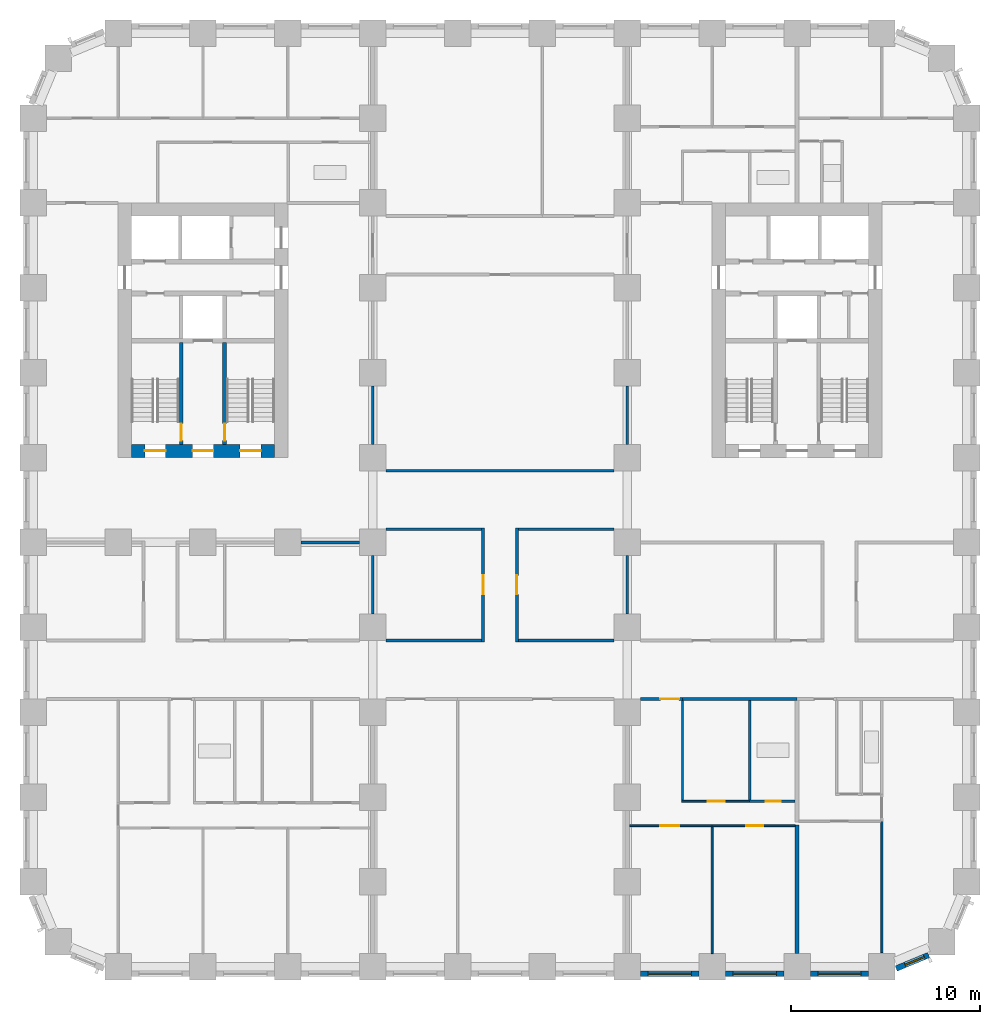
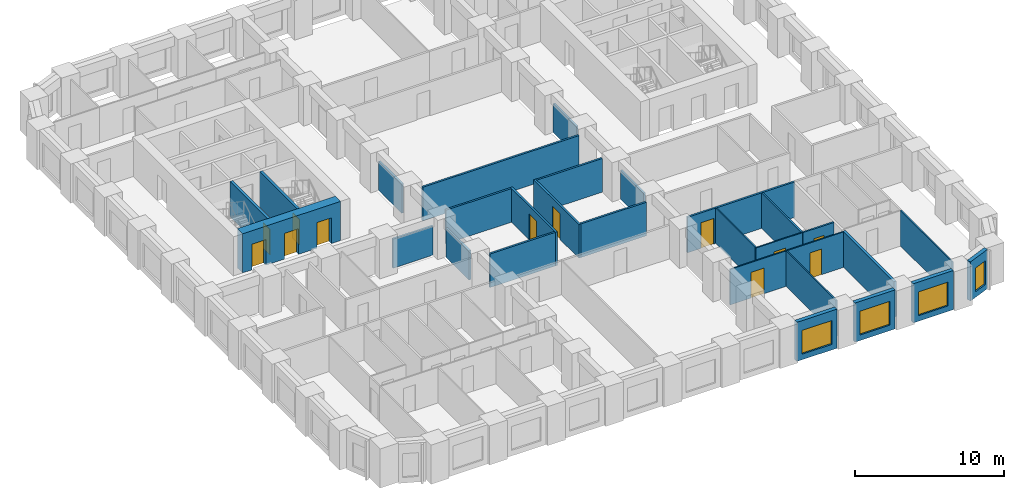
# One storey, part 4 of 12: 30 walls, 12 doors, 4 windows, 16 openings.
"""IFC4 building model written with IfcOpenShell, lengths in metres."""

from ifc_helpers import new_model, si_unit, direction, frame, frame_2d, origin, place, context, subcontext, project, spatial, rectangle, extrude, material, layer, layer_set, type_object, element, fill, save


model = new_model("IFC4")

# Units and contexts
model_context = context("Model", 3, precision=1e-05, world=origin(), true_north=direction((0.0, 1.0)))
body_context = subcontext(model_context, "Body", "Model", "MODEL_VIEW")
ifc_project = project(units=[si_unit("LENGTHUNIT", "METRE"), si_unit("AREAUNIT", "SQUARE_METRE"), si_unit("VOLUMEUNIT", "CUBIC_METRE"), si_unit("PLANEANGLEUNIT", "RADIAN"), si_unit("MASSUNIT", "GRAM", prefix="KILO")], contexts=[model_context])

# Site, building, storey
site_placement = place(None, origin())
site = spatial("IfcSite", under=ifc_project, at=site_placement, CompositionType="ELEMENT")
building_placement = place(site_placement, origin())
building = spatial("IfcBuilding", under=site, at=building_placement, Name="Girih Gate Residences", CompositionType="ELEMENT")
storey_placement = place(building_placement, frame((0.0, 0.0, 65.60009765625)))
storey = spatial("IfcBuildingStorey", under=building, at=storey_placement, Name="L17", CompositionType="ELEMENT", Elevation=65.60009765625)

# Wall, opening, door
ifc_material_1 = material(Name="Gypsum board on steel studs", Category="steel")
ifc_layer_1 = layer(ifc_material_1, 0.14990234375)
ifc_layer_set_1 = layer_set([ifc_layer_1], Name="Compartment wall 150 mm")
wall_type_1 = type_object("IfcWallType", Name="Compartment wall 150 mm", PredefinedType="PARTITIONING", material=ifc_layer_set_1)
wall_1_placement = place(storey_placement, frame((34.425048828125, 14.199951171875, 0.0), z_axis=(0.0, 0.0, 1.0), x_axis=(-1.0, 0.0, 0.0)))
wall_1 = element("IfcWall", 1, at=wall_1_placement, inside=storey, type_object=wall_type_1, Name="L17 partition", PredefinedType="PARTITIONING", context=body_context, shape_type="SweptSolid", body=[
    extrude(rectangle(XDim=2.22509765625, YDim=0.14990234375, at=frame_2d((1.112548828125, 0.0))), origin(), (0.0, 0.0, 1.0), 2.89990234375),
])
opening_1_placement = place(wall_1_placement, frame((0.175048828125, 0.0, 0.0)))
opening_1 = element("IfcOpeningElement", 2, at=opening_1_placement, cuts=wall_1, Name="Opening A17-027", PredefinedType="OPENING", context=body_context, shape_type="SweptSolid", body=[
    extrude(rectangle(XDim=1.0, YDim=2.10009765625, at=frame_2d((0.5, 1.050048828125))), frame((0.0, 0.0849609375, 0.0), z_axis=(0.0, -1.0, 0.0), x_axis=(1.0, 0.0, 0.0)), (0.0, 0.0, 1.0), 0.169921875),
])
ifc_material_2 = material(Name="Timber, fire-rated core", Category="wood")
door_type_1 = type_object("IfcDoorType", Name="Flat entrance door 1000x2100 FD30S", OperationType="NOTDEFINED", PredefinedType="DOOR", material=ifc_material_2)
door_1_placement = place(opening_1_placement, origin())
door_1 = element("IfcDoor", 3, at=door_1_placement, inside=storey, type_object=door_type_1, Name="Door A17-027", OperationType="SINGLE_SWING_LEFT", OverallHeight=2.10009765625, OverallWidth=1.0, PredefinedType="DOOR", context=body_context, shape_type="SweptSolid", body=[
    extrude(rectangle(XDim=1.0, YDim=2.10009765625, at=frame_2d((0.5, 1.050048828125))), frame((0.0, 0.02490234375, 0.0), z_axis=(0.0, -1.0, 0.0), x_axis=(1.0, 0.0, 0.0)), (0.0, 0.0, 1.0), 0.050048828125),
])
fill(opening_1, door_1)

# Wall
wall_2_placement = place(storey_placement, frame((34.425048828125, 14.199951171875, 0.0), z_axis=(0.0, 0.0, 1.0), x_axis=(1.0, 0.0, 0.0)))
element("IfcWall", 4, at=wall_2_placement, inside=storey, type_object=wall_type_1, Name="L17 partition", PredefinedType="PARTITIONING", context=body_context, shape_type="SweptSolid", body=[
    extrude(rectangle(XDim=6.074951171875, YDim=0.14990234375, at=frame_2d((3.03759765625, 0.0))), origin(), (0.0, 0.0, 1.0), 2.89990234375),
])

# Wall, opening, door
wall_3_placement = place(storey_placement, frame((23.85009765625, 17.22509765625, 0.0), z_axis=(0.0, 0.0, 1.0), x_axis=(0.0, 1.0, 0.0)))
wall_3 = element("IfcWall", 5, at=wall_3_placement, inside=storey, type_object=wall_type_1, Name="L17 partition", PredefinedType="PARTITIONING", context=body_context, shape_type="SweptSolid", body=[
    extrude(rectangle(XDim=6.0498046875, YDim=0.14990234375, at=frame_2d((3.02490234375, 0.0))), origin(), (0.0, 0.0, 1.0), 2.75),
])
opening_2_placement = place(wall_3_placement, frame((2.52490234375, 0.0, 0.0)))
opening_2 = element("IfcOpeningElement", 6, at=opening_2_placement, cuts=wall_3, Name="Opening A17-045", PredefinedType="OPENING", context=body_context, shape_type="SweptSolid", body=[
    extrude(rectangle(XDim=1.0, YDim=2.10009765625, at=frame_2d((0.5, 1.050048828125))), frame((0.0, 0.0849609375, 0.0), z_axis=(0.0, -1.0, 0.0), x_axis=(1.0, 0.0, 0.0)), (0.0, 0.0, 1.0), 0.169921875),
])
door_type_2 = type_object("IfcDoorType", Name="Amenity room door 1000x2100 FD30S", OperationType="NOTDEFINED", PredefinedType="DOOR", material=ifc_material_2)
door_2_placement = place(opening_2_placement, origin())
door_2 = element("IfcDoor", 7, at=door_2_placement, inside=storey, type_object=door_type_2, Name="Door A17-045", OperationType="SINGLE_SWING_RIGHT", OverallHeight=2.10009765625, OverallWidth=1.0, PredefinedType="DOOR", context=body_context, shape_type="SweptSolid", body=[
    extrude(rectangle(XDim=1.0, YDim=2.10009765625, at=frame_2d((0.5, 1.050048828125))), frame((0.0, 0.02490234375, 0.0), z_axis=(0.0, -1.0, 0.0), x_axis=(1.0, 0.0, 0.0)), (0.0, 0.0, 1.0), 0.050048828125),
])
fill(opening_2, door_2)

wall_4_placement = place(storey_placement, frame((25.64990234375, 23.27490234375, 0.0), z_axis=(0.0, 0.0, 1.0), x_axis=(0.0, -1.0, 0.0)))
wall_4 = element("IfcWall", 8, at=wall_4_placement, inside=storey, type_object=wall_type_1, Name="L17 partition", PredefinedType="PARTITIONING", context=body_context, shape_type="SweptSolid", body=[
    extrude(rectangle(XDim=6.0498046875, YDim=0.14990234375, at=frame_2d((3.02490234375, 0.0))), origin(), (0.0, 0.0, 1.0), 2.75),
])
opening_3_placement = place(wall_4_placement, frame((2.52490234375, 0.0, 0.0)))
opening_3 = element("IfcOpeningElement", 9, at=opening_3_placement, cuts=wall_4, Name="Opening A17-046", PredefinedType="OPENING", context=body_context, shape_type="SweptSolid", body=[
    extrude(rectangle(XDim=1.0, YDim=2.10009765625, at=frame_2d((0.5, 1.050048828125))), frame((0.0, 0.0849609375, 0.0), z_axis=(0.0, -1.0, 0.0), x_axis=(1.0, 0.0, 0.0)), (0.0, 0.0, 1.0), 0.169921875),
])
door_3_placement = place(opening_3_placement, origin())
door_3 = element("IfcDoor", 10, at=door_3_placement, inside=storey, type_object=door_type_2, Name="Door A17-046", OperationType="SINGLE_SWING_RIGHT", OverallHeight=2.10009765625, OverallWidth=1.0, PredefinedType="DOOR", context=body_context, shape_type="SweptSolid", body=[
    extrude(rectangle(XDim=1.0, YDim=2.10009765625, at=frame_2d((0.5, 1.050048828125))), frame((0.0, 0.02490234375, 0.0), z_axis=(0.0, -1.0, 0.0), x_axis=(1.0, 0.0, 0.0)), (0.0, 0.0, 1.0), 0.050048828125),
])
fill(opening_3, door_3)

# Walls
for number, where, z_axis, x_axis, name in (
    (11, (18.699951171875, 17.300048828125, 0.0), (0.0, 0.0, 1.0), (1.0, 0.0, 0.0), "L17 partition"),
    (12, (25.72509765625, 17.300048828125, 0.0), (0.0, 0.0, 1.0), (1.0, 0.0, 0.0), "L17 partition"),
):
    element("IfcWall", number, at=place(storey_placement, frame(where, z_axis=z_axis, x_axis=x_axis)), inside=storey, type_object=wall_type_1, Name=name, PredefinedType="PARTITIONING", context=body_context, shape_type="SweptSolid", body=[
        extrude(rectangle(XDim=5.074951171875, YDim=0.14990234375, at=frame_2d((2.53759765625, 0.0))), origin(), (0.0, 0.0, 1.0), 2.75),
    ])
for number, where, z_axis, x_axis, name in (
    (13, (31.5, 27.699951171875, 0.0), (0.0, 0.0, 1.0), (0.0, 1.0, 0.0), "L17 partition"),
    (14, (18.0, 27.699951171875, 0.0), (0.0, 0.0, 1.0), (0.0, 1.0, 0.0), "L17 partition"),
):
    element("IfcWall", number, at=place(storey_placement, frame(where, z_axis=z_axis, x_axis=x_axis)), inside=storey, type_object=wall_type_1, Name=name, PredefinedType="PARTITIONING", context=body_context, shape_type="SweptSolid", body=[
        extrude(rectangle(XDim=3.10009765625, YDim=0.14990234375, at=frame_2d((1.550048828125, 0.0))), origin(), (0.0, 0.0, 1.0), 2.3798828125),
    ])
wall_5_placement = place(storey_placement, frame((18.699951171875, 26.300048828125, 0.0), z_axis=(0.0, 0.0, 1.0), x_axis=(1.0, 0.0, 0.0)))
element("IfcWall", 15, at=wall_5_placement, inside=storey, type_object=wall_type_1, Name="L17 partition", PredefinedType="PARTITIONING", context=body_context, shape_type="SweptSolid", body=[
    extrude(rectangle(XDim=12.10009765625, YDim=0.14990234375, at=frame_2d((6.050048828125, 0.0))), origin(), (0.0, 0.0, 1.0), 2.75),
])
wall_6_placement = place(storey_placement, frame((18.699951171875, 23.199951171875, 0.0), z_axis=(0.0, 0.0, 1.0), x_axis=(1.0, 0.0, 0.0)))
element("IfcWall", 16, at=wall_6_placement, inside=storey, type_object=wall_type_1, Name="L17 partition", PredefinedType="PARTITIONING", context=body_context, shape_type="SweptSolid", body=[
    extrude(rectangle(XDim=5.074951171875, YDim=0.14990234375, at=frame_2d((2.53759765625, 0.0))), origin(), (0.0, 0.0, 1.0), 2.75),
])
wall_7_placement = place(storey_placement, frame((18.0, 18.699951171875, 0.0), z_axis=(0.0, 0.0, 1.0), x_axis=(0.0, 1.0, 0.0)))
element("IfcWall", 17, at=wall_7_placement, inside=storey, type_object=wall_type_1, Name="L17 partition", PredefinedType="PARTITIONING", context=body_context, shape_type="SweptSolid", body=[
    extrude(rectangle(XDim=3.10009765625, YDim=0.14990234375, at=frame_2d((1.550048828125, 0.0))), origin(), (0.0, 0.0, 1.0), 2.3798828125),
])
wall_8_placement = place(storey_placement, frame((25.72509765625, 23.199951171875, 0.0), z_axis=(0.0, 0.0, 1.0), x_axis=(1.0, 0.0, 0.0)))
element("IfcWall", 18, at=wall_8_placement, inside=storey, type_object=wall_type_1, Name="L17 partition", PredefinedType="PARTITIONING", context=body_context, shape_type="SweptSolid", body=[
    extrude(rectangle(XDim=5.074951171875, YDim=0.14990234375, at=frame_2d((2.53759765625, 0.0))), origin(), (0.0, 0.0, 1.0), 2.75),
])
for number, where, z_axis, x_axis, name in (
    (19, (31.5, 18.699951171875, 0.0), (0.0, 0.0, 1.0), (0.0, 1.0, 0.0), "L17 partition"),
    (20, (14.199951171875, 22.5, 0.0), (0.0, 0.0, 1.0), (1.0, 0.0, 0.0), "L17 partition"),
):
    element("IfcWall", number, at=place(storey_placement, frame(where, z_axis=z_axis, x_axis=x_axis)), inside=storey, type_object=wall_type_1, Name=name, PredefinedType="PARTITIONING", context=body_context, shape_type="SweptSolid", body=[
        extrude(rectangle(XDim=3.10009765625, YDim=0.14990234375, at=frame_2d((1.550048828125, 0.0))), origin(), (0.0, 0.0, 1.0), 2.3798828125),
    ])

# Wall, openings, doors
ifc_material_3 = material(Name="Concrete C60/75", Category="concrete")
ifc_layer_2 = layer(ifc_material_3, 0.699951171875)
ifc_layer_set_2 = layer_set([ifc_layer_2], Name="Core wall RC 700 Concrete C60/75")
wall_type_2 = type_object("IfcWallType", Name="Core wall RC 700 Concrete C60/75", PredefinedType="SOLIDWALL", material=ifc_layer_set_2)
wall_9_placement = place(storey_placement, frame((5.199951171875, 27.35009765625, 0.0), z_axis=(0.0, 0.0, 1.0), x_axis=(1.0, 0.0, 0.0)))
wall_9 = element("IfcWall", 21, at=wall_9_placement, inside=storey, type_object=wall_type_2, Name="Core wall W-S L17", PredefinedType="SOLIDWALL", context=body_context, shape_type="SweptSolid", body=[
    extrude(rectangle(XDim=7.60009765625, YDim=0.699951171875, at=frame_2d((3.800048828125, 0.0))), origin(), (0.0, 0.0, 1.0), 3.199951171875),
])
opening_4_placement = place(wall_9_placement, frame((0.72509765625, 0.0, 0.0)))
opening_4 = element("IfcOpeningElement", 22, at=opening_4_placement, cuts=wall_9, Name="Opening D-L17-W-008", PredefinedType="OPENING", context=body_context, shape_type="SweptSolid", body=[
    extrude(rectangle(XDim=1.10009765625, YDim=2.10009765625, at=frame_2d((0.550048828125, 1.050048828125))), frame((0.0, 0.35986328125, 0.0), z_axis=(0.0, -1.0, 0.0), x_axis=(1.0, 0.0, 0.0)), (0.0, 0.0, 1.0), 0.719970703125),
])
opening_5_placement = place(wall_9_placement, frame((3.25, 0.0, 0.0)))
opening_5 = element("IfcOpeningElement", 23, at=opening_5_placement, cuts=wall_9, Name="Opening D-L17-W-009", PredefinedType="OPENING", context=body_context, shape_type="SweptSolid", body=[
    extrude(rectangle(XDim=1.10009765625, YDim=2.10009765625, at=frame_2d((0.550048828125, 1.050048828125))), frame((0.0, 0.35986328125, 0.0), z_axis=(0.0, -1.0, 0.0), x_axis=(1.0, 0.0, 0.0)), (0.0, 0.0, 1.0), 0.719970703125),
])
opening_6_placement = place(wall_9_placement, frame((5.77490234375, 0.0, 0.0)))
opening_6 = element("IfcOpeningElement", 24, at=opening_6_placement, cuts=wall_9, Name="Opening D-L17-W-010", PredefinedType="OPENING", context=body_context, shape_type="SweptSolid", body=[
    extrude(rectangle(XDim=1.10009765625, YDim=2.10009765625, at=frame_2d((0.550048828125, 1.050048828125))), frame((0.0, 0.35986328125, 0.0), z_axis=(0.0, -1.0, 0.0), x_axis=(1.0, 0.0, 0.0)), (0.0, 0.0, 1.0), 0.719970703125),
])
ifc_material_4 = material(Name="Painted steel, fire-resisting", Category="steel")
door_type_3 = type_object("IfcDoorType", Name="Fire door 1100x2100", OperationType="SINGLE_SWING_LEFT", PredefinedType="DOOR", material=ifc_material_4)
door_4_placement = place(opening_4_placement, origin())
door_4 = element("IfcDoor", 25, at=door_4_placement, inside=storey, type_object=door_type_3, Name="L17 W core door sta-out", OperationType="SINGLE_SWING_LEFT", OverallHeight=2.10009765625, OverallWidth=1.10009765625, PredefinedType="DOOR", context=body_context, shape_type="SweptSolid", body=[
    extrude(rectangle(XDim=1.10009765625, YDim=2.10009765625, at=frame_2d((0.550048828125, 1.050048828125))), frame((0.0, 0.02490234375, 0.0), z_axis=(0.0, -1.0, 0.0), x_axis=(1.0, 0.0, 0.0)), (0.0, 0.0, 1.0), 0.050048828125),
])
fill(opening_4, door_4)
door_5_placement = place(opening_5_placement, origin())
door_5 = element("IfcDoor", 26, at=door_5_placement, inside=storey, type_object=door_type_3, Name="L17 W core door ffl-out", OperationType="SINGLE_SWING_LEFT", OverallHeight=2.10009765625, OverallWidth=1.10009765625, PredefinedType="DOOR", context=body_context, shape_type="SweptSolid", body=[
    extrude(rectangle(XDim=1.10009765625, YDim=2.10009765625, at=frame_2d((0.550048828125, 1.050048828125))), frame((0.0, 0.02490234375, 0.0), z_axis=(0.0, -1.0, 0.0), x_axis=(1.0, 0.0, 0.0)), (0.0, 0.0, 1.0), 0.050048828125),
])
fill(opening_5, door_5)
door_6_placement = place(opening_6_placement, origin())
door_6 = element("IfcDoor", 27, at=door_6_placement, inside=storey, type_object=door_type_3, Name="L17 W core door stb-out", OperationType="SINGLE_SWING_LEFT", OverallHeight=2.10009765625, OverallWidth=1.10009765625, PredefinedType="DOOR", context=body_context, shape_type="SweptSolid", body=[
    extrude(rectangle(XDim=1.10009765625, YDim=2.10009765625, at=frame_2d((0.550048828125, 1.050048828125))), frame((0.0, 0.02490234375, 0.0), z_axis=(0.0, -1.0, 0.0), x_axis=(1.0, 0.0, 0.0)), (0.0, 0.0, 1.0), 0.050048828125),
])
fill(opening_6, door_6)

# Wall
ifc_layer_3 = layer(ifc_material_1, 0.10009765625)
ifc_layer_set_3 = layer_set([ifc_layer_3], Name="Partition 100 mm")
wall_type_3 = type_object("IfcWallType", Name="Partition 100 mm", PredefinedType="PARTITIONING", material=ifc_layer_set_3)
wall_10_placement = place(storey_placement, frame((45.0, 0.757568359375, 0.0), z_axis=(0.0, 0.0, 1.0), x_axis=(0.0, 1.0, 0.0)))
element("IfcWall", 28, at=wall_10_placement, inside=storey, type_object=wall_type_3, Name="L17 partition", PredefinedType="PARTITIONING", context=body_context, shape_type="SweptSolid", body=[
    extrude(rectangle(XDim=6.96240234375, YDim=0.10009765625, at=frame_2d((3.481201171875, 0.0))), origin(), (0.0, 0.0, 1.0), 2.89990234375),
])

# Wall, opening, door
wall_11_placement = place(storey_placement, frame((40.39990234375, 7.47998046875, 0.0), z_axis=(0.0, 0.0, 1.0), x_axis=(-1.0, 0.0, 0.0)))
wall_11 = element("IfcWall", 29, at=wall_11_placement, inside=storey, type_object=wall_type_3, Name="L17 partition", PredefinedType="PARTITIONING", context=body_context, shape_type="SweptSolid", body=[
    extrude(rectangle(XDim=4.39990234375, YDim=0.10009765625, at=frame_2d((2.199951171875, 0.0))), origin(), (0.0, 0.0, 1.0), 2.89990234375),
])
opening_7_placement = place(wall_11_placement, frame((1.699951171875, 0.0, 0.0)))
opening_7 = element("IfcOpeningElement", 30, at=opening_7_placement, cuts=wall_11, Name="Opening A17-024", PredefinedType="OPENING", context=body_context, shape_type="SweptSolid", body=[
    extrude(rectangle(XDim=0.89990234375, YDim=2.10009765625, at=frame_2d((0.449951171875, 1.050048828125))), frame((0.0, 0.06005859375, 0.0), z_axis=(0.0, -1.0, 0.0), x_axis=(1.0, 0.0, 0.0)), (0.0, 0.0, 1.0), 0.1201171875),
])
ifc_material_5 = material(Name="Timber", Category="wood")
door_type_4 = type_object("IfcDoorType", Name="Bedroom door 900x2100", OperationType="NOTDEFINED", PredefinedType="DOOR", material=ifc_material_5)
door_7_placement = place(opening_7_placement, origin())
door_7 = element("IfcDoor", 31, at=door_7_placement, inside=storey, type_object=door_type_4, Name="Door A17-024", OperationType="SINGLE_SWING_LEFT", OverallHeight=2.10009765625, OverallWidth=0.89990234375, PredefinedType="DOOR", context=body_context, shape_type="SweptSolid", body=[
    extrude(rectangle(XDim=0.89990234375, YDim=2.10009765625, at=frame_2d((0.449951171875, 1.050048828125))), frame((0.0, 0.02490234375, 0.0), z_axis=(0.0, -1.0, 0.0), x_axis=(1.0, 0.0, 0.0)), (0.0, 0.0, 1.0), 0.050048828125),
])
fill(opening_7, door_7)

# Walls
wall_12_placement = place(storey_placement, frame((36.0, 0.699951171875, 0.0), z_axis=(0.0, 0.0, 1.0), x_axis=(0.0, 1.0, 0.0)))
element("IfcWall", 32, at=wall_12_placement, inside=storey, type_object=wall_type_3, Name="L17 partition", PredefinedType="PARTITIONING", context=body_context, shape_type="SweptSolid", body=[
    extrude(rectangle(XDim=6.72998046875, YDim=0.10009765625, at=frame_2d((3.364990234375, 0.0))), origin(), (0.0, 0.0, 1.0), 2.89990234375),
])
wall_13_placement = place(storey_placement, frame((34.425048828125, 8.830078125, 0.0), z_axis=(0.0, 0.0, 1.0), x_axis=(0.0, 1.0, 0.0)))
element("IfcWall", 33, at=wall_13_placement, inside=storey, type_object=wall_type_3, Name="L17 partition", PredefinedType="PARTITIONING", context=body_context, shape_type="SweptSolid", body=[
    extrude(rectangle(XDim=5.294921875, YDim=0.10009765625, at=frame_2d((2.6474609375, 0.0))), origin(), (0.0, 0.0, 1.0), 2.89990234375),
])

# Wall, opening, door
wall_14_placement = place(storey_placement, frame((34.375, 8.780029296875, 0.0), z_axis=(0.0, 0.0, 1.0), x_axis=(1.0, 0.0, 0.0)))
wall_14 = element("IfcWall", 34, at=wall_14_placement, inside=storey, type_object=wall_type_3, Name="L17 partition", PredefinedType="PARTITIONING", context=body_context, shape_type="SweptSolid", body=[
    extrude(rectangle(XDim=3.613037109375, YDim=0.10009765625, at=frame_2d((1.806640625, 0.0))), origin(), (0.0, 0.0, 1.0), 2.89990234375),
])
opening_8_placement = place(wall_14_placement, frame((1.381591796875, 0.0, 0.0)))
opening_8 = element("IfcOpeningElement", 35, at=opening_8_placement, cuts=wall_14, Name="Opening A17-025", PredefinedType="OPENING", context=body_context, shape_type="SweptSolid", body=[
    extrude(rectangle(XDim=0.89990234375, YDim=2.10009765625, at=frame_2d((0.449951171875, 1.050048828125))), frame((0.0, 0.06005859375, 0.0), z_axis=(0.0, -1.0, 0.0), x_axis=(1.0, 0.0, 0.0)), (0.0, 0.0, 1.0), 0.1201171875),
])
door_type_5 = type_object("IfcDoorType", Name="Kitchen door 900x2100", OperationType="NOTDEFINED", PredefinedType="DOOR", material=ifc_material_5)
door_8_placement = place(opening_8_placement, origin())
door_8 = element("IfcDoor", 36, at=door_8_placement, inside=storey, type_object=door_type_5, Name="Door A17-025", OperationType="SINGLE_SWING_RIGHT", OverallHeight=2.10009765625, OverallWidth=0.89990234375, PredefinedType="DOOR", context=body_context, shape_type="SweptSolid", body=[
    extrude(rectangle(XDim=0.89990234375, YDim=2.10009765625, at=frame_2d((0.449951171875, 1.050048828125))), frame((0.0, 0.02490234375, 0.0), z_axis=(0.0, -1.0, 0.0), x_axis=(1.0, 0.0, 0.0)), (0.0, 0.0, 1.0), 0.050048828125),
])
fill(opening_8, door_8)

wall_15_placement = place(storey_placement, frame((36.0, 7.47998046875, 0.0), z_axis=(0.0, 0.0, 1.0), x_axis=(-1.0, 0.0, 0.0)))
wall_15 = element("IfcWall", 37, at=wall_15_placement, inside=storey, type_object=wall_type_3, Name="L17 partition", PredefinedType="PARTITIONING", context=body_context, shape_type="SweptSolid", body=[
    extrude(rectangle(XDim=4.375, YDim=0.10009765625, at=frame_2d((2.1875, 0.0))), origin(), (0.0, 0.0, 1.0), 2.89990234375),
])
opening_9_placement = place(wall_15_placement, frame((1.75, 0.0, 0.0)))
opening_9 = element("IfcOpeningElement", 38, at=opening_9_placement, cuts=wall_15, Name="Opening A17-026", PredefinedType="OPENING", context=body_context, shape_type="SweptSolid", body=[
    extrude(rectangle(XDim=1.0, YDim=2.10009765625, at=frame_2d((0.5, 1.050048828125))), frame((0.0, 0.06005859375, 0.0), z_axis=(0.0, -1.0, 0.0), x_axis=(1.0, 0.0, 0.0)), (0.0, 0.0, 1.0), 0.1201171875),
])
door_type_6 = type_object("IfcDoorType", Name="Living room door 1000x2100", OperationType="NOTDEFINED", PredefinedType="DOOR", material=ifc_material_5)
door_9_placement = place(opening_9_placement, origin())
door_9 = element("IfcDoor", 39, at=door_9_placement, inside=storey, type_object=door_type_6, Name="Door A17-026", OperationType="SINGLE_SWING_RIGHT", OverallHeight=2.10009765625, OverallWidth=1.0, PredefinedType="DOOR", context=body_context, shape_type="SweptSolid", body=[
    extrude(rectangle(XDim=1.0, YDim=2.10009765625, at=frame_2d((0.5, 1.050048828125))), frame((0.0, 0.02490234375, 0.0), z_axis=(0.0, -1.0, 0.0), x_axis=(1.0, 0.0, 0.0)), (0.0, 0.0, 1.0), 0.050048828125),
])
fill(opening_9, door_9)

# Wall
ifc_layer_4 = layer(ifc_material_1, 0.199951171875)
ifc_layer_set_4 = layer_set([ifc_layer_4], Name="Party wall 200 mm")
wall_type_4 = type_object("IfcWallType", Name="Party wall 200 mm", PredefinedType="PARTITIONING", material=ifc_layer_set_4)
wall_16_placement = place(storey_placement, frame((40.5, 0.699951171875, 0.0), z_axis=(0.0, 0.0, 1.0), x_axis=(0.0, 1.0, 0.0)))
element("IfcWall", 40, at=wall_16_placement, inside=storey, type_object=wall_type_4, Name="L17 partition", PredefinedType="PARTITIONING", context=body_context, shape_type="SweptSolid", body=[
    extrude(rectangle(XDim=6.830078125, YDim=0.199951171875, at=frame_2d((3.4150390625, 0.0))), origin(), (0.0, 0.0, 1.0), 2.89990234375),
])

# Wall, opening, window
ifc_material_6 = material(Name="Precast concrete C50/60", Category="concrete")
ifc_layer_5 = layer(ifc_material_6, 0.080078125, Name="Outer leaf")
ifc_material_7 = material(Name="Rigid PIR insulation")
ifc_layer_6 = layer(ifc_material_7, 0.14990234375, Name="Insulation")
ifc_material_8 = material(Name="Precast concrete C40/50", Category="concrete")
ifc_layer_7 = layer(ifc_material_8, 0.070068359375, Name="Inner leaf")
ifc_layer_set_5 = layer_set([ifc_layer_5, ifc_layer_6, ifc_layer_7], Name="Precast concrete C50/60 external wall 300")
wall_type_5 = type_object("IfcWallType", Name="Precast concrete C50/60 external wall 300", PredefinedType="SOLIDWALL", material=ifc_layer_set_5)
wall_17_placement = place(storey_placement, frame((35.300048828125, -0.375, 0.0), z_axis=(0.0, 0.0, 1.0), x_axis=(-1.0, 0.0, 0.0)))
wall_17 = element("IfcWall", 41, at=wall_17_placement, inside=storey, type_object=wall_type_5, Name="External wall S0045_0000.6", PredefinedType="SOLIDWALL", context=body_context, shape_type="SweptSolid", body=[
    extrude(rectangle(XDim=3.10009765625, YDim=0.300048828125, at=frame_2d((1.550048828125, 0.0))), origin(), (0.0, 0.0, 1.0), 3.199951171875),
])
opening_10_placement = place(wall_17_placement, frame((0.39990234375, 0.0, 0.449951171875)))
opening_10 = element("IfcOpeningElement", 42, at=opening_10_placement, cuts=wall_17, Name="Opening W-1", PredefinedType="OPENING", context=body_context, shape_type="SweptSolid", body=[
    extrude(rectangle(XDim=2.300048828125, YDim=1.949951171875, at=frame_2d((1.14990234375, 0.97509765625))), frame((0.0, 0.159912109375, 0.0), z_axis=(0.0, -1.0, 0.0), x_axis=(1.0, 0.0, 0.0)), (0.0, 0.0, 1.0), 0.320068359375),
])
ifc_material_9 = material(Name="Double glazing in aluminium frame", Category="aluminium")
window_type_1 = type_object("IfcWindowType", Name="Window W-1 2300x1950", PartitioningType="SINGLE_PANEL", PredefinedType="WINDOW", material=ifc_material_9)
window_1_placement = place(opening_10_placement, origin())
window_1 = element("IfcWindow", 43, at=window_1_placement, inside=storey, type_object=window_type_1, Name="Window W-1 S0045_0000.6", OverallHeight=1.949951171875, OverallWidth=2.300048828125, PartitioningType="SINGLE_PANEL", PredefinedType="WINDOW", context=body_context, shape_type="SweptSolid", body=[
    extrude(rectangle(XDim=2.300048828125, YDim=1.949951171875, at=frame_2d((1.14990234375, 0.97509765625))), frame((0.0, 0.030029296875, 0.0), z_axis=(0.0, -1.0, 0.0), x_axis=(1.0, 0.0, 0.0)), (0.0, 0.0, 1.0), 0.06005859375),
])
fill(opening_10, window_1)

wall_18_placement = place(storey_placement, frame((39.800048828125, -0.375, 0.0), z_axis=(0.0, 0.0, 1.0), x_axis=(-1.0, 0.0, 0.0)))
wall_18 = element("IfcWall", 44, at=wall_18_placement, inside=storey, type_object=wall_type_5, Name="External wall S0045_0000.7", PredefinedType="SOLIDWALL", context=body_context, shape_type="SweptSolid", body=[
    extrude(rectangle(XDim=3.10009765625, YDim=0.300048828125, at=frame_2d((1.550048828125, 0.0))), origin(), (0.0, 0.0, 1.0), 3.199951171875),
])
opening_11_placement = place(wall_18_placement, frame((0.39990234375, 0.0, 0.449951171875)))
opening_11 = element("IfcOpeningElement", 45, at=opening_11_placement, cuts=wall_18, Name="Opening W-1", PredefinedType="OPENING", context=body_context, shape_type="SweptSolid", body=[
    extrude(rectangle(XDim=2.300048828125, YDim=1.949951171875, at=frame_2d((1.14990234375, 0.97509765625))), frame((0.0, 0.159912109375, 0.0), z_axis=(0.0, -1.0, 0.0), x_axis=(1.0, 0.0, 0.0)), (0.0, 0.0, 1.0), 0.320068359375),
])
window_2_placement = place(opening_11_placement, origin())
window_2 = element("IfcWindow", 46, at=window_2_placement, inside=storey, type_object=window_type_1, Name="Window W-1 S0045_0000.7", OverallHeight=1.949951171875, OverallWidth=2.300048828125, PartitioningType="SINGLE_PANEL", PredefinedType="WINDOW", context=body_context, shape_type="SweptSolid", body=[
    extrude(rectangle(XDim=2.300048828125, YDim=1.949951171875, at=frame_2d((1.14990234375, 0.97509765625))), frame((0.0, 0.030029296875, 0.0), z_axis=(0.0, -1.0, 0.0), x_axis=(1.0, 0.0, 0.0)), (0.0, 0.0, 1.0), 0.06005859375),
])
fill(opening_11, window_2)

wall_19_placement = place(storey_placement, frame((44.300048828125, -0.375, 0.0), z_axis=(0.0, 0.0, 1.0), x_axis=(-1.0, 0.0, 0.0)))
wall_19 = element("IfcWall", 47, at=wall_19_placement, inside=storey, type_object=wall_type_5, Name="External wall S0045_0000.8", PredefinedType="SOLIDWALL", context=body_context, shape_type="SweptSolid", body=[
    extrude(rectangle(XDim=3.10009765625, YDim=0.300048828125, at=frame_2d((1.550048828125, 0.0))), origin(), (0.0, 0.0, 1.0), 3.199951171875),
])
opening_12_placement = place(wall_19_placement, frame((0.39990234375, 0.0, 0.449951171875)))
opening_12 = element("IfcOpeningElement", 48, at=opening_12_placement, cuts=wall_19, Name="Opening W-1", PredefinedType="OPENING", context=body_context, shape_type="SweptSolid", body=[
    extrude(rectangle(XDim=2.300048828125, YDim=1.949951171875, at=frame_2d((1.14990234375, 0.97509765625))), frame((0.0, 0.159912109375, 0.0), z_axis=(0.0, -1.0, 0.0), x_axis=(1.0, 0.0, 0.0)), (0.0, 0.0, 1.0), 0.320068359375),
])
window_3_placement = place(opening_12_placement, origin())
window_3 = element("IfcWindow", 49, at=window_3_placement, inside=storey, type_object=window_type_1, Name="Window W-1 S0045_0000.8", OverallHeight=1.949951171875, OverallWidth=2.300048828125, PartitioningType="SINGLE_PANEL", PredefinedType="WINDOW", context=body_context, shape_type="SweptSolid", body=[
    extrude(rectangle(XDim=2.300048828125, YDim=1.949951171875, at=frame_2d((1.14990234375, 0.97509765625))), frame((0.0, 0.030029296875, 0.0), z_axis=(0.0, -1.0, 0.0), x_axis=(1.0, 0.0, 0.0)), (0.0, 0.0, 1.0), 0.06005859375),
])
fill(opening_12, window_3)

wall_20_placement = place(storey_placement, frame((47.48046875, 0.62158203125, 0.0), z_axis=(0.0, 0.0, 1.0), x_axis=(-0.923903565336, -0.38262540684, 0.0)))
wall_20 = element("IfcWall", 50, at=wall_20_placement, inside=storey, type_object=wall_type_5, Name="External wall SE0450_0000.0", PredefinedType="SOLIDWALL", context=body_context, shape_type="SweptSolid", body=[
    extrude(rectangle(XDim=1.864990234375, YDim=0.300048828125, at=frame_2d((0.9326171875, 0.0))), origin(), (0.0, 0.0, 1.0), 3.199951171875),
])
opening_13_placement = place(wall_20_placement, frame((0.257568359375, 0.0, 0.449951171875)))
opening_13 = element("IfcOpeningElement", 51, at=opening_13_placement, cuts=wall_20, Name="Opening W-2C", PredefinedType="OPENING", context=body_context, shape_type="SweptSolid", body=[
    extrude(rectangle(XDim=1.10009765625, YDim=1.949951171875, at=frame_2d((0.550048828125, 0.97509765625))), frame((0.0, 0.159912109375, 0.0), z_axis=(0.0, -1.0, 0.0), x_axis=(1.0, 0.0, 0.0)), (0.0, 0.0, 1.0), 0.320068359375),
])
window_type_2 = type_object("IfcWindowType", Name="Window W-2C 1100x1950", PartitioningType="SINGLE_PANEL", PredefinedType="WINDOW", material=ifc_material_9)
window_4_placement = place(opening_13_placement, origin())
window_4 = element("IfcWindow", 52, at=window_4_placement, inside=storey, type_object=window_type_2, Name="Window W-2C SE0450_0000.0", OverallHeight=1.949951171875, OverallWidth=1.10009765625, PartitioningType="SINGLE_PANEL", PredefinedType="WINDOW", context=body_context, shape_type="SweptSolid", body=[
    extrude(rectangle(XDim=1.10009765625, YDim=1.949951171875, at=frame_2d((0.550048828125, 0.97509765625))), frame((0.0, 0.030029296875, 0.0), z_axis=(0.0, -1.0, 0.0), x_axis=(1.0, 0.0, 0.0)), (0.0, 0.0, 1.0), 0.06005859375),
])
fill(opening_13, window_4)

# Wall, opening, door
ifc_material_10 = material(Name="Concrete C40/50", Category="concrete")
ifc_layer_8 = layer(ifc_material_10, 0.199951171875)
ifc_layer_set_6 = layer_set([ifc_layer_8], Name="Shaft wall 200")
wall_type_6 = type_object("IfcWallType", Name="Shaft wall 200", PredefinedType="SOLIDWALL", material=ifc_layer_set_6)
wall_21_placement = place(storey_placement, frame((7.85009765625, 27.699951171875, 0.0), z_axis=(0.0, 0.0, 1.0), x_axis=(0.0, 1.0, 0.0)))
wall_21 = element("IfcWall", 53, at=wall_21_placement, inside=storey, type_object=wall_type_6, Name="L17 W core wall V1a", PredefinedType="SOLIDWALL", context=body_context, shape_type="SweptSolid", body=[
    extrude(rectangle(XDim=5.400146484375, YDim=0.199951171875, at=frame_2d((2.7001953125, 0.0))), origin(), (0.0, 0.0, 1.0), 2.89990234375),
])
opening_14_placement = place(wall_21_placement, frame((0.199951171875, 0.0, 0.0)))
opening_14 = element("IfcOpeningElement", 54, at=opening_14_placement, cuts=wall_21, Name="Opening D-L17-W-001", PredefinedType="OPENING", context=body_context, shape_type="SweptSolid", body=[
    extrude(rectangle(XDim=0.89990234375, YDim=2.10009765625, at=frame_2d((0.449951171875, 1.050048828125))), frame((0.0, 0.10986328125, 0.0), z_axis=(0.0, -1.0, 0.0), x_axis=(1.0, 0.0, 0.0)), (0.0, 0.0, 1.0), 0.219970703125),
])
door_type_7 = type_object("IfcDoorType", Name="Fire door 900x2100", OperationType="SINGLE_SWING_LEFT", PredefinedType="DOOR", material=ifc_material_4)
door_10_placement = place(opening_14_placement, origin())
door_10 = element("IfcDoor", 55, at=door_10_placement, inside=storey, type_object=door_type_7, Name="L17 W door stair 1 to firefighting lobby", OperationType="SINGLE_SWING_LEFT", OverallHeight=2.10009765625, OverallWidth=0.89990234375, PredefinedType="DOOR", context=body_context, shape_type="SweptSolid", body=[
    extrude(rectangle(XDim=0.89990234375, YDim=2.10009765625, at=frame_2d((0.449951171875, 1.050048828125))), frame((0.0, 0.02490234375, 0.0), z_axis=(0.0, -1.0, 0.0), x_axis=(1.0, 0.0, 0.0)), (0.0, 0.0, 1.0), 0.050048828125),
])
fill(opening_14, door_10)

wall_22_placement = place(storey_placement, frame((10.14990234375, 27.699951171875, 0.0), z_axis=(0.0, 0.0, 1.0), x_axis=(0.0, 1.0, 0.0)))
wall_22 = element("IfcWall", 56, at=wall_22_placement, inside=storey, type_object=wall_type_6, Name="L17 W core wall V2a", PredefinedType="SOLIDWALL", context=body_context, shape_type="SweptSolid", body=[
    extrude(rectangle(XDim=5.400146484375, YDim=0.199951171875, at=frame_2d((2.7001953125, 0.0))), origin(), (0.0, 0.0, 1.0), 2.89990234375),
])
opening_15_placement = place(wall_22_placement, frame((0.199951171875, 0.0, 0.0)))
opening_15 = element("IfcOpeningElement", 57, at=opening_15_placement, cuts=wall_22, Name="Opening D-L17-W-002", PredefinedType="OPENING", context=body_context, shape_type="SweptSolid", body=[
    extrude(rectangle(XDim=0.89990234375, YDim=2.10009765625, at=frame_2d((0.449951171875, 1.050048828125))), frame((0.0, 0.10986328125, 0.0), z_axis=(0.0, -1.0, 0.0), x_axis=(1.0, 0.0, 0.0)), (0.0, 0.0, 1.0), 0.219970703125),
])
door_11_placement = place(opening_15_placement, origin())
door_11 = element("IfcDoor", 58, at=door_11_placement, inside=storey, type_object=door_type_7, Name="L17 W door stair 2 to firefighting lobby", OperationType="SINGLE_SWING_LEFT", OverallHeight=2.10009765625, OverallWidth=0.89990234375, PredefinedType="DOOR", context=body_context, shape_type="SweptSolid", body=[
    extrude(rectangle(XDim=0.89990234375, YDim=2.10009765625, at=frame_2d((0.449951171875, 1.050048828125))), frame((0.0, 0.02490234375, 0.0), z_axis=(0.0, -1.0, 0.0), x_axis=(1.0, 0.0, 0.0)), (0.0, 0.0, 1.0), 0.050048828125),
])
fill(opening_15, door_11)

ifc_layer_9 = layer(ifc_material_1, 0.125)
ifc_layer_set_7 = layer_set([ifc_layer_9], Name="Wet room wall 125 mm")
wall_type_7 = type_object("IfcWallType", Name="Wet room wall 125 mm", PredefinedType="PARTITIONING", material=ifc_layer_set_7)
wall_23_placement = place(storey_placement, frame((37.988037109375, 8.780029296875, 0.0), z_axis=(0.0, 0.0, 1.0), x_axis=(1.0, 0.0, 0.0)))
wall_23 = element("IfcWall", 59, at=wall_23_placement, inside=storey, type_object=wall_type_7, Name="L17 partition", PredefinedType="PARTITIONING", context=body_context, shape_type="SweptSolid", body=[
    extrude(rectangle(XDim=2.411865234375, YDim=0.125, at=frame_2d((1.2060546875, 0.0))), origin(), (0.0, 0.0, 1.0), 2.89990234375),
])
opening_16_placement = place(wall_23_placement, frame((0.85595703125, 0.0, 0.0)))
opening_16 = element("IfcOpeningElement", 60, at=opening_16_placement, cuts=wall_23, Name="Opening A17-023", PredefinedType="OPENING", context=body_context, shape_type="SweptSolid", body=[
    extrude(rectangle(XDim=0.800048828125, YDim=2.10009765625, at=frame_2d((0.39990234375, 1.050048828125))), frame((0.0, 0.072509765625, 0.0), z_axis=(0.0, -1.0, 0.0), x_axis=(1.0, 0.0, 0.0)), (0.0, 0.0, 1.0), 0.14501953125),
])
door_type_8 = type_object("IfcDoorType", Name="Bathroom door 800x2100", OperationType="NOTDEFINED", PredefinedType="DOOR", material=ifc_material_5)
door_12_placement = place(opening_16_placement, origin())
door_12 = element("IfcDoor", 61, at=door_12_placement, inside=storey, type_object=door_type_8, Name="Door A17-023", OperationType="SINGLE_SWING_RIGHT", OverallHeight=2.10009765625, OverallWidth=0.800048828125, PredefinedType="DOOR", context=body_context, shape_type="SweptSolid", body=[
    extrude(rectangle(XDim=0.800048828125, YDim=2.10009765625, at=frame_2d((0.39990234375, 1.050048828125))), frame((0.0, 0.02490234375, 0.0), z_axis=(0.0, -1.0, 0.0), x_axis=(1.0, 0.0, 0.0)), (0.0, 0.0, 1.0), 0.050048828125),
])
fill(opening_16, door_12)

# Wall
wall_24_placement = place(storey_placement, frame((37.988037109375, 8.842529296875, 0.0), z_axis=(0.0, 0.0, 1.0), x_axis=(0.0, 1.0, 0.0)))
element("IfcWall", 62, at=wall_24_placement, inside=storey, type_object=wall_type_7, Name="L17 partition", PredefinedType="PARTITIONING", context=body_context, shape_type="SweptSolid", body=[
    extrude(rectangle(XDim=5.282470703125, YDim=0.125, at=frame_2d((2.64111328125, 0.0))), origin(), (0.0, 0.0, 1.0), 2.89990234375),
])

save(model, "model.ifc")
